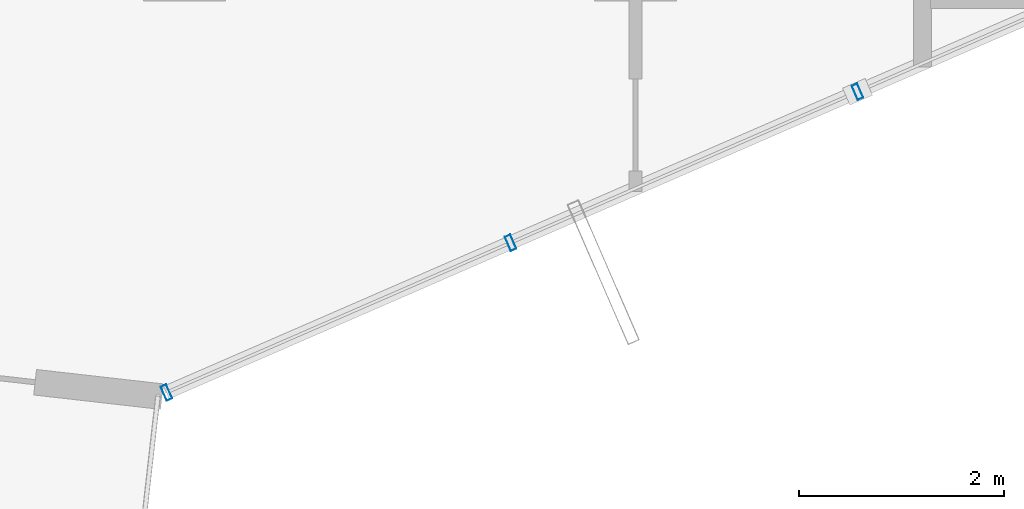
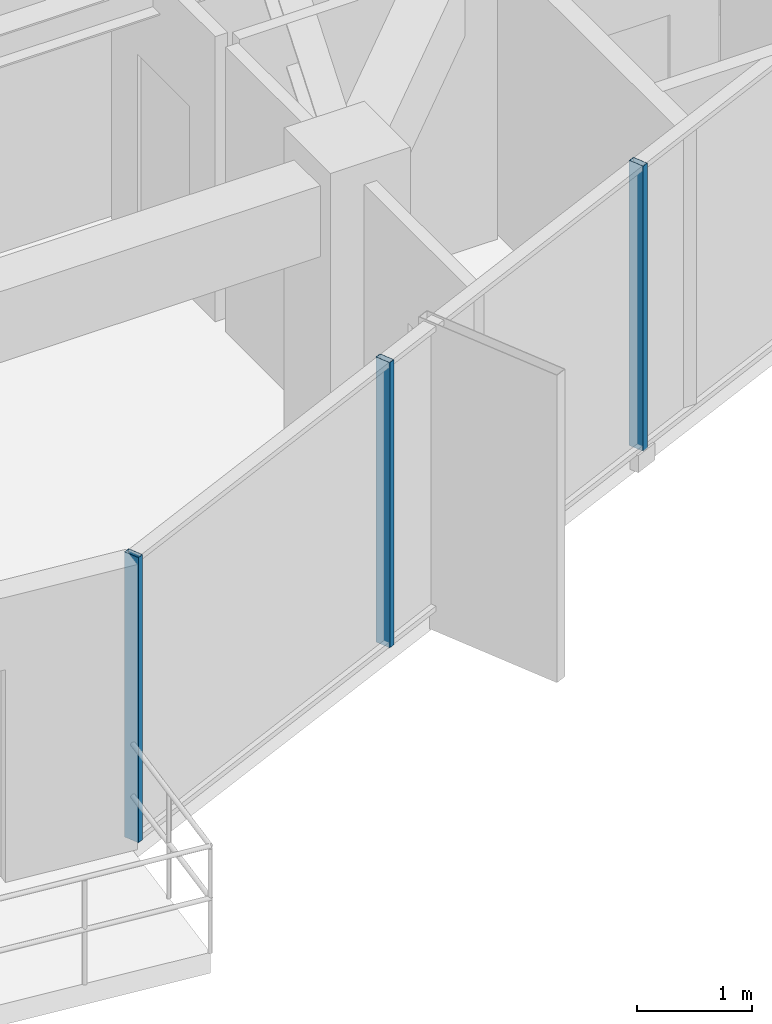
# One storey, part 8 of 30: 3 members, 1 element without a shape of its own.
"""IFC4 building model written with IfcOpenShell, lengths in metres."""

from ifc_helpers import new_model, si_unit, direction, frame, origin, origin_2d, place, context, subcontext, project, spatial, hollow_rectangle, extrude, source, transform, mapped, material, layer, layer_set, material_profile, profile_set, type_object, element, aggregate, save


model = new_model("IFC4")

# Units and contexts
model_context = context("Model", 3, precision=1e-05, world=origin(), true_north=direction((0.0, 1.0)))
body_context = subcontext(model_context, "Body", "Model", "MODEL_VIEW")
ifc_project = project(units=[si_unit("LENGTHUNIT", "METRE"), si_unit("AREAUNIT", "SQUARE_METRE"), si_unit("VOLUMEUNIT", "CUBIC_METRE"), si_unit("PLANEANGLEUNIT", "RADIAN"), si_unit("MASSUNIT", "GRAM", prefix="KILO")], contexts=[model_context])

# Site, building, storey
site_placement = place(None, origin())
site = spatial("IfcSite", under=ifc_project, at=site_placement, CompositionType="ELEMENT")
building_placement = place(site_placement, origin())
building = spatial("IfcBuilding", under=site, at=building_placement, Name="Veraguas Prism Commons", CompositionType="ELEMENT")
storey_placement = place(building_placement, frame((0.0, 0.0, 230.050048828125)))
storey = spatial("IfcBuildingStorey", under=building, at=storey_placement, Name="L65", CompositionType="ELEMENT", Elevation=230.050048828125)

# Curtain wall, members
ifc_material = material(Name="Anodised aluminium EN AW-6063 T6", Category="aluminium")
ifc_layer = layer(ifc_material, 0.14990234375, Name="Unitised Flush Curtain Wall Zone 4", Category="aluminium")
ifc_layer_set = layer_set([ifc_layer], Name="Anodised aluminium EN AW-6063 T6")
curtain_wall_type = type_object("IfcCurtainWallType", Name="Unitised Flush Curtain Wall Zone 4", PredefinedType="NOTDEFINED", material=ifc_layer_set)
curtain_wall_placement = place(storey_placement, origin())
curtain_wall = element("IfcCurtainWall", 1, at=curtain_wall_placement, inside=storey, type_object=curtain_wall_type, Name="Tower Facade Curtain Wall L65-F5", PredefinedType="NOTDEFINED")
ifc_material_profile = material_profile(ifc_material, hollow_rectangle(XDim=0.06005859375, YDim=0.14990234375, WallThickness=0.0029296875, at=origin_2d()), Name="AL60X150X3")
ifc_profile_set = profile_set([ifc_material_profile], Name="Anodised aluminium EN AW-6063 T6")
member_type = type_object("IfcMemberType", Name="Curtain Wall Mullion Upper AL 60x150x3", PredefinedType="MULLION", material=ifc_profile_set)
shared_shape = source(origin(), body_context, "Body", "SweptSolid", [
    extrude(hollow_rectangle(XDim=0.06005859375, YDim=0.14990234375, WallThickness=0.0029296875, at=origin_2d()), origin(), (0.0, 0.0, 1.0), 3.014892578125),
])
member_1_placement = place(storey_placement, frame((23.82421875, 5.97802734375, 0.0), z_axis=(0.0, 0.0, 1.0), x_axis=(0.916918739301, 0.399073959961, 0.0)))
member_1 = element("IfcMember", 2, at=member_1_placement, type_object=member_type, Name="CW-Z4 Mullion 1", PredefinedType="MULLION", context=body_context, shape_type="MappedRepresentation", body=[
    mapped(shared_shape, transform((0.0, 0.0, 0.0), scale=1.0)),
])
member_2_placement = place(storey_placement, frame((27.181640625, 7.439208984375, 0.0), z_axis=(0.0, 0.0, 1.0), x_axis=(0.916918739301, 0.399073959961, 0.0)))
member_2 = element("IfcMember", 3, at=member_2_placement, type_object=member_type, Name="CW-Z4 Mullion 2", PredefinedType="MULLION", context=body_context, shape_type="MappedRepresentation", body=[
    mapped(shared_shape, transform((0.0, 0.0, 0.0), scale=1.0)),
])
member_3_placement = place(storey_placement, frame((30.56640625, 8.91259765625, 0.0), z_axis=(0.0, 0.0, 1.0), x_axis=(0.916918739301, 0.399073959961, 0.0)))
member_3 = element("IfcMember", 4, at=member_3_placement, type_object=member_type, Name="CW-Z4 Mullion 3", PredefinedType="MULLION", context=body_context, shape_type="MappedRepresentation", body=[
    mapped(shared_shape, transform((0.0, 0.0, 0.0), scale=1.0)),
])
aggregate(curtain_wall, [member_1, member_2, member_3])

save(model, "model.ifc")
